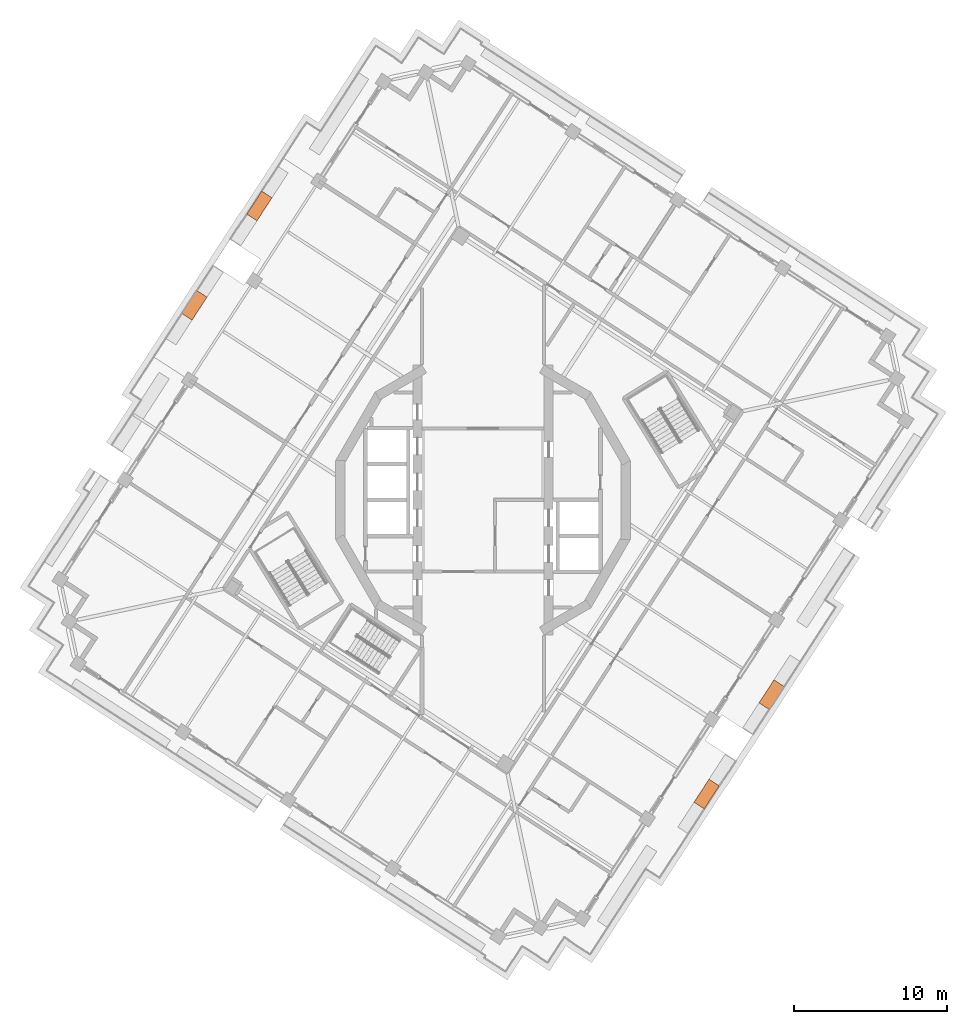
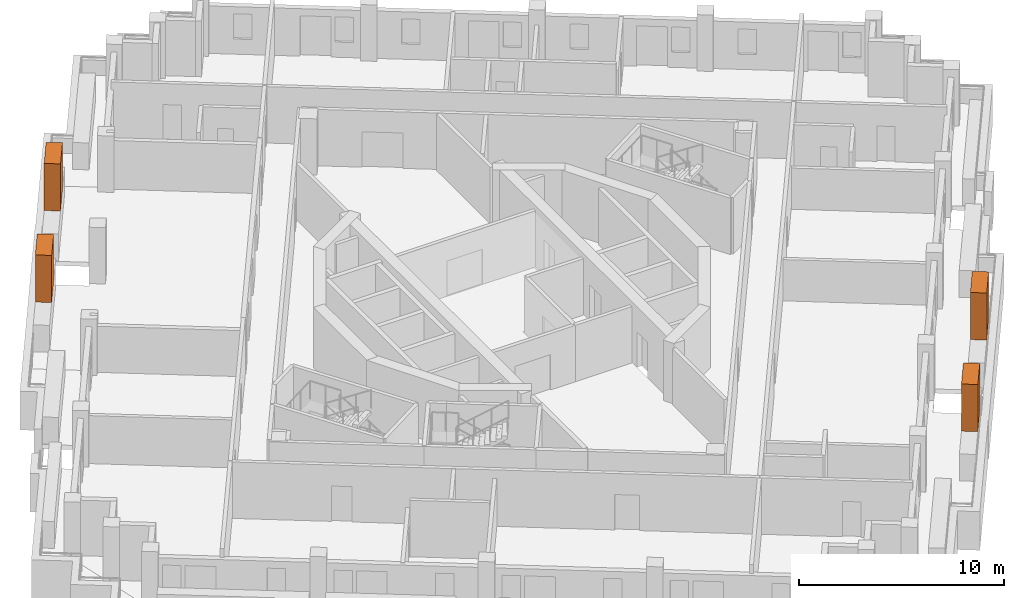
# One storey, part 15 of 15: 4 proxies.
"""IFC4 building model written with IfcOpenShell, lengths in metres."""

from ifc_helpers import new_model, si_unit, direction, frame, origin, origin_2d, place, context, subcontext, project, spatial, rectangle, extrude, element, save


model = new_model("IFC4")

# Units and contexts
model_context = context("Model", 3, precision=1e-05, world=origin(), true_north=direction((0.0, 1.0)))
body_context = subcontext(model_context, "Body", "Model", "MODEL_VIEW")
ifc_project = project(units=[si_unit("LENGTHUNIT", "METRE"), si_unit("AREAUNIT", "SQUARE_METRE"), si_unit("VOLUMEUNIT", "CUBIC_METRE"), si_unit("PLANEANGLEUNIT", "RADIAN"), si_unit("MASSUNIT", "GRAM", prefix="KILO")], contexts=[model_context])

# Site, building, storey
site_placement = place(None, origin())
site = spatial("IfcSite", under=ifc_project, at=site_placement, CompositionType="ELEMENT")
building_placement = place(site_placement, origin())
building = spatial("IfcBuilding", under=site, at=building_placement, Name="Cantera Rosa Tower", CompositionType="ELEMENT")
storey_placement = place(building_placement, frame((0.0, 0.0, 282.89990234375)))
storey = spatial("IfcBuildingStorey", under=building, at=storey_placement, Name="L64", CompositionType="ELEMENT", Elevation=282.89990234375)

# Proxies
for number, where, z_axis, x_axis, name in (
    (1, (-14.65576171875, 19.271240234375, 1.60009765625), (0.0, 0.0, 1.0), (-0.544639035015, -0.838670567945, 0.0), "TREE L64-06"),
    (2, (-18.91357421875, 12.759521484375, 1.60009765625), (0.0, 0.0, 1.0), (-0.544639035015, -0.838670567945, 0.0), "TREE L64-07"),
    (3, (14.65576171875, -19.271240234375, 1.60009765625), (0.0, 0.0, 1.0), (0.544639035015, 0.838670567945, 0.0), "TREE L64-15"),
    (4, (18.91357421875, -12.759521484375, 1.60009765625), (0.0, 0.0, 1.0), (0.544639035015, 0.838670567945, 0.0), "TREE L64-16"),
):
    element("IfcBuildingElementProxy", number, at=place(storey_placement, frame(where, z_axis=z_axis, x_axis=x_axis)), inside=storey, Name=name, ObjectType="TREE", PredefinedType="USERDEFINED", context=body_context, shape_type="SweptSolid", body=[
        extrude(rectangle(XDim=1.800048828125, YDim=0.800048828125, at=origin_2d()), origin(), (0.0, 0.0, 1.0), 2.800048828125),
    ])

save(model, "model.ifc")
